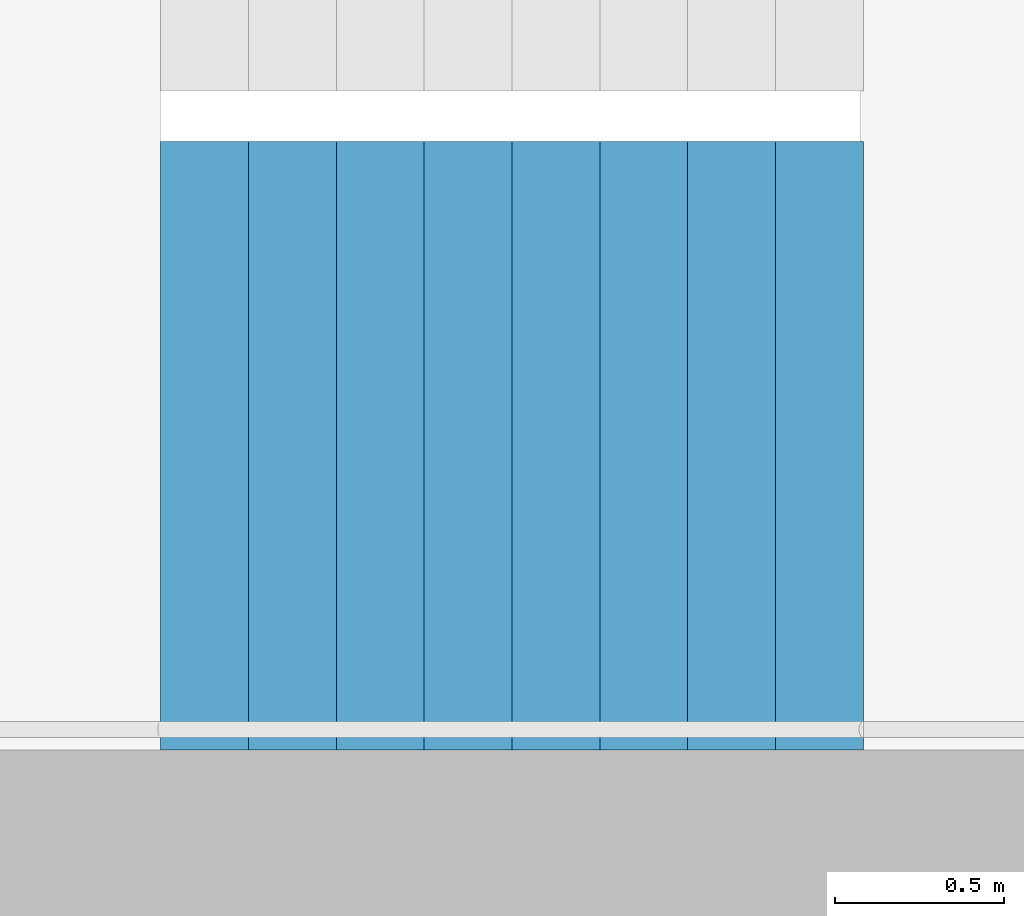
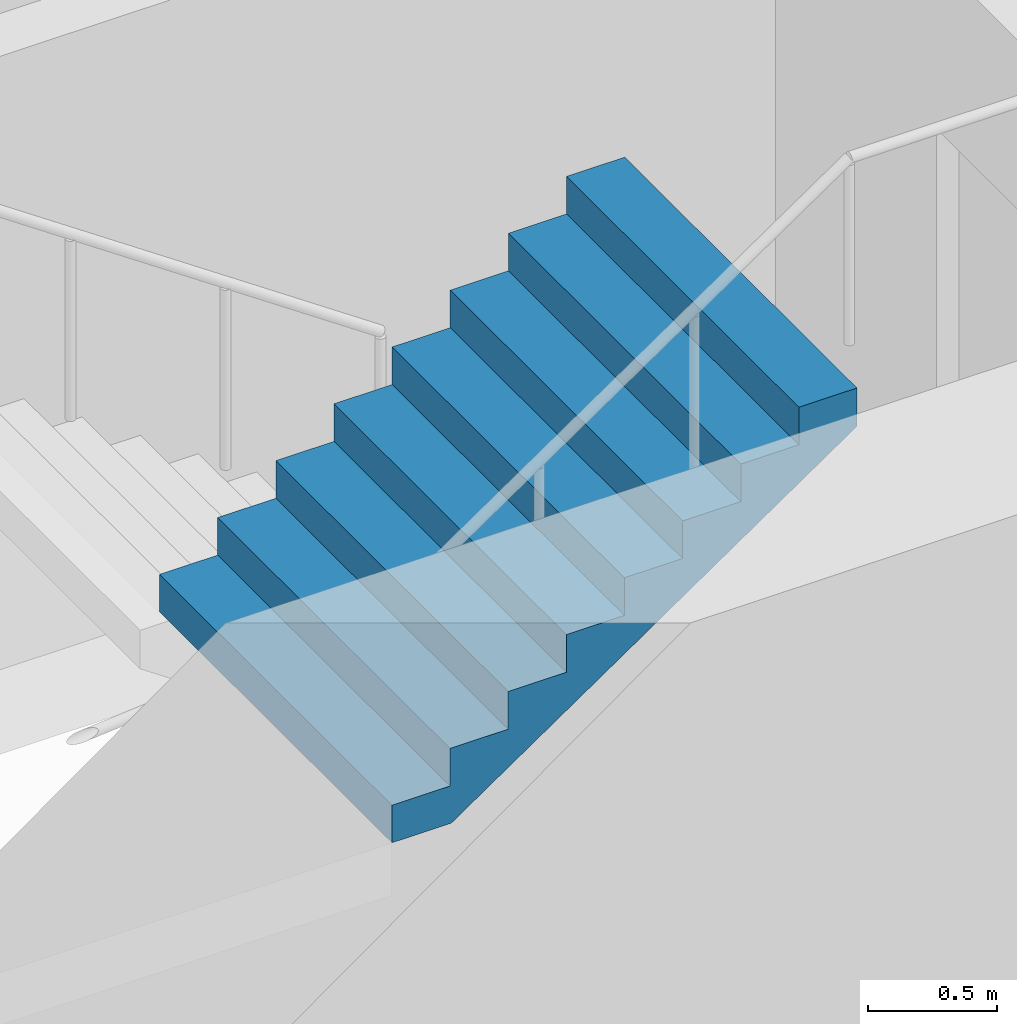
# One storey, part 21 of 29: 1 stair flight, 1 element without a shape of its own.
"""IFC4 building model written with IfcOpenShell, lengths in metres."""

from ifc_helpers import new_model, si_unit, direction, frame, origin, place, context, subcontext, project, spatial, triangles, material, type_object, element, aggregate, save


model = new_model("IFC4")

# Units and contexts
model_context = context("Model", 3, precision=1e-05, world=origin(), true_north=direction((0.0, 1.0)))
body_context = subcontext(model_context, "Body", "Model", "MODEL_VIEW")
ifc_project = project(units=[si_unit("LENGTHUNIT", "METRE"), si_unit("AREAUNIT", "SQUARE_METRE"), si_unit("VOLUMEUNIT", "CUBIC_METRE"), si_unit("PLANEANGLEUNIT", "RADIAN"), si_unit("MASSUNIT", "GRAM", prefix="KILO")], contexts=[model_context])

# Site, building, storey
site_placement = place(None, origin())
site = spatial("IfcSite", under=ifc_project, at=site_placement, CompositionType="ELEMENT")
building_placement = place(site_placement, origin())
building = spatial("IfcBuilding", under=site, at=building_placement, Name="Hakoniwa Tower and Hamabe Station Hall", CompositionType="ELEMENT")
storey_placement = place(building_placement, frame((0.0, 0.0, 117.0)))
storey = spatial("IfcBuildingStorey", under=building, at=storey_placement, Name="L33", CompositionType="ELEMENT", Elevation=117.0)

# Stair, stair flight
ifc_material_1 = material(Name="Concrete C40", Category="concrete")
stair_type = type_object("IfcStairType", Name="ESCAPE STAIR 1800", PredefinedType="HALF_TURN_STAIR", material=ifc_material_1)
stair_placement = place(storey_placement, origin())
stair = element("IfcStair", 1, at=stair_placement, inside=storey, type_object=stair_type, Name="Escape stair ST-2 L33", PredefinedType="HALF_TURN_STAIR")
ifc_material_2 = material(Name="Concrete C40", Category="concrete")
stair_flight_type = type_object("IfcStairFlightType", Name="STAIR FLIGHT 1800", PredefinedType="STRAIGHT", material=ifc_material_2)
stair_flight_placement = place(storey_placement, frame((-25.47998046875, -6.60009765625, 1.60009765625), z_axis=(0.0, 0.0, 1.0), x_axis=(1.0, 0.0, 0.0)))
stair_flight = element("IfcStairFlight", 2, at=stair_flight_placement, type_object=stair_flight_type, Name="ST-2 flight 2", NumberOfRisers=9, NumberOfTreads=8, PredefinedType="STRAIGHT", RiserHeight=0.177777778, TreadLength=0.26, context=body_context, shape_type="Tessellation", body=[
    triangles([(0.0, 0.89990234375, 0.0), (0.260009765625, 0.89990234375, 0.0), (0.265625, 0.89990234375, 0.0), (0.52001953125, 0.89990234375, 0.174072265625), (0.780029296875, 0.89990234375, 0.351806640625), (1.0400390625, 0.89990234375, 0.529541015625), (1.300048828125, 0.89990234375, 0.707275390625), (1.56005859375, 0.89990234375, 0.885009765625), (1.820068359375, 0.89990234375, 1.062744140625), (2.080078125, 0.89990234375, 1.24072265625), (2.080078125, 0.89990234375, 1.422119140625), (1.820068359375, 0.89990234375, 1.422119140625), (1.820068359375, 0.89990234375, 1.244384765625), (1.56005859375, 0.89990234375, 1.244384765625), (1.56005859375, 0.89990234375, 1.066650390625), (1.300048828125, 0.89990234375, 1.066650390625), (1.300048828125, 0.89990234375, 0.888916015625), (1.0400390625, 0.89990234375, 0.888916015625), (1.0400390625, 0.89990234375, 0.711181640625), (0.780029296875, 0.89990234375, 0.711181640625), (0.780029296875, 0.89990234375, 0.533447265625), (0.52001953125, 0.89990234375, 0.533447265625), (0.52001953125, 0.89990234375, 0.35546875), (0.265625, 0.89990234375, 0.35546875), (0.260009765625, 0.89990234375, 0.35546875), (0.260009765625, 0.89990234375, 0.177734375), (0.0, 0.89990234375, 0.177734375), (0.0, 0.06005859375, 0.0), (0.260009765625, 0.06005859375, 0.0), (0.265625, 0.06005859375, 0.0), (0.52001953125, 0.06005859375, 0.174072265625), (0.780029296875, 0.06005859375, 0.351806640625), (1.0400390625, 0.06005859375, 0.529541015625), (1.300048828125, 0.06005859375, 0.707275390625), (1.56005859375, 0.06005859375, 0.885009765625), (1.820068359375, 0.06005859375, 1.062744140625), (2.080078125, 0.06005859375, 1.24072265625), (2.080078125, 0.06005859375, 1.422119140625), (1.820068359375, 0.06005859375, 1.422119140625), (1.820068359375, 0.06005859375, 1.244384765625), (1.56005859375, 0.06005859375, 1.244384765625), (1.56005859375, 0.06005859375, 1.066650390625), (1.300048828125, 0.06005859375, 1.066650390625), (1.300048828125, 0.06005859375, 0.888916015625), (1.0400390625, 0.06005859375, 0.888916015625), (1.0400390625, 0.06005859375, 0.711181640625), (0.780029296875, 0.06005859375, 0.711181640625), (0.780029296875, 0.06005859375, 0.533447265625), (0.52001953125, 0.06005859375, 0.533447265625), (0.52001953125, 0.06005859375, 0.35546875), (0.265625, 0.06005859375, 0.35546875), (0.260009765625, 0.06005859375, 0.35546875), (0.260009765625, 0.06005859375, 0.177734375), (0.0, 0.06005859375, 0.177734375), (0.0, 0.04296875, 0.0), (0.260009765625, 0.04296875, 0.0), (0.265625, 0.04296875, 0.0), (0.52001953125, 0.04296875, 0.174072265625), (0.780029296875, 0.04296875, 0.351806640625), (1.0400390625, 0.04296875, 0.529541015625), (1.300048828125, 0.04296875, 0.707275390625), (1.56005859375, 0.04296875, 0.885009765625), (1.820068359375, 0.04296875, 1.062744140625), (2.080078125, 0.04296875, 1.24072265625), (2.080078125, 0.04296875, 1.422119140625), (1.820068359375, 0.04296875, 1.422119140625), (1.820068359375, 0.04296875, 1.244384765625), (1.56005859375, 0.04296875, 1.244384765625), (1.56005859375, 0.04296875, 1.066650390625), (1.300048828125, 0.04296875, 1.066650390625), (1.300048828125, 0.04296875, 0.888916015625), (1.0400390625, 0.04296875, 0.888916015625), (1.0400390625, 0.04296875, 0.711181640625), (0.780029296875, 0.04296875, 0.711181640625), (0.780029296875, 0.04296875, 0.533447265625), (0.52001953125, 0.04296875, 0.533447265625), (0.52001953125, 0.04296875, 0.35546875), (0.265625, 0.04296875, 0.35546875), (0.260009765625, 0.04296875, 0.35546875), (0.260009765625, 0.04296875, 0.177734375), (0.0, 0.04296875, 0.177734375), (0.0, 0.025634765625, 0.0), (0.260009765625, 0.025634765625, 0.0), (0.265625, 0.025634765625, 0.0), (0.52001953125, 0.025634765625, 0.174072265625), (0.780029296875, 0.025634765625, 0.351806640625), (1.0400390625, 0.025634765625, 0.529541015625), (1.300048828125, 0.025634765625, 0.707275390625), (1.56005859375, 0.025634765625, 0.885009765625), (1.820068359375, 0.025634765625, 1.062744140625), (2.080078125, 0.025634765625, 1.24072265625), (2.080078125, 0.025634765625, 1.422119140625), (1.820068359375, 0.025634765625, 1.422119140625), (1.820068359375, 0.025634765625, 1.244384765625), (1.56005859375, 0.025634765625, 1.244384765625), (1.56005859375, 0.025634765625, 1.066650390625), (1.300048828125, 0.025634765625, 1.066650390625), (1.300048828125, 0.025634765625, 0.888916015625), (1.0400390625, 0.025634765625, 0.888916015625), (1.0400390625, 0.025634765625, 0.711181640625), (0.780029296875, 0.025634765625, 0.711181640625), (0.780029296875, 0.025634765625, 0.533447265625), (0.52001953125, 0.025634765625, 0.533447265625), (0.52001953125, 0.025634765625, 0.35546875), (0.265625, 0.025634765625, 0.35546875), (0.260009765625, 0.025634765625, 0.35546875), (0.260009765625, 0.025634765625, 0.177734375), (0.0, 0.025634765625, 0.177734375), (0.0, 0.008544921875, 0.0), (0.260009765625, 0.008544921875, 0.0), (0.265625, 0.008544921875, 0.0), (0.52001953125, 0.008544921875, 0.174072265625), (0.780029296875, 0.008544921875, 0.351806640625), (1.0400390625, 0.008544921875, 0.529541015625), (1.300048828125, 0.008544921875, 0.707275390625), (1.56005859375, 0.008544921875, 0.885009765625), (1.820068359375, 0.008544921875, 1.062744140625), (2.080078125, 0.008544921875, 1.24072265625), (2.080078125, 0.008544921875, 1.422119140625), (1.820068359375, 0.008544921875, 1.422119140625), (1.820068359375, 0.008544921875, 1.244384765625), (1.56005859375, 0.008544921875, 1.244384765625), (1.56005859375, 0.008544921875, 1.066650390625), (1.300048828125, 0.008544921875, 1.066650390625), (1.300048828125, 0.008544921875, 0.888916015625), (1.0400390625, 0.008544921875, 0.888916015625), (1.0400390625, 0.008544921875, 0.711181640625), (0.780029296875, 0.008544921875, 0.711181640625), (0.780029296875, 0.008544921875, 0.533447265625), (0.52001953125, 0.008544921875, 0.533447265625), (0.52001953125, 0.008544921875, 0.35546875), (0.265625, 0.008544921875, 0.35546875), (0.260009765625, 0.008544921875, 0.35546875), (0.260009765625, 0.008544921875, 0.177734375), (0.0, 0.008544921875, 0.177734375), (0.0, -0.008544921875, 0.0), (0.260009765625, -0.008544921875, 0.0), (0.265625, -0.008544921875, 0.0), (0.52001953125, -0.008544921875, 0.174072265625), (0.780029296875, -0.008544921875, 0.351806640625), (1.0400390625, -0.008544921875, 0.529541015625), (1.300048828125, -0.008544921875, 0.707275390625), (1.56005859375, -0.008544921875, 0.885009765625), (1.820068359375, -0.008544921875, 1.062744140625), (2.080078125, -0.008544921875, 1.24072265625), (2.080078125, -0.008544921875, 1.422119140625), (1.820068359375, -0.008544921875, 1.422119140625), (1.820068359375, -0.008544921875, 1.244384765625), (1.56005859375, -0.008544921875, 1.244384765625), (1.56005859375, -0.008544921875, 1.066650390625), (1.300048828125, -0.008544921875, 1.066650390625), (1.300048828125, -0.008544921875, 0.888916015625), (1.0400390625, -0.008544921875, 0.888916015625), (1.0400390625, -0.008544921875, 0.711181640625), (0.780029296875, -0.008544921875, 0.711181640625), (0.780029296875, -0.008544921875, 0.533447265625), (0.52001953125, -0.008544921875, 0.533447265625), (0.52001953125, -0.008544921875, 0.35546875), (0.265625, -0.008544921875, 0.35546875), (0.260009765625, -0.008544921875, 0.35546875), (0.260009765625, -0.008544921875, 0.177734375), (0.0, -0.008544921875, 0.177734375), (0.0, -0.025634765625, 0.0), (0.260009765625, -0.025634765625, 0.0), (0.265625, -0.025634765625, 0.0), (0.52001953125, -0.025634765625, 0.174072265625), (0.780029296875, -0.025634765625, 0.351806640625), (1.0400390625, -0.025634765625, 0.529541015625), (1.300048828125, -0.025634765625, 0.707275390625), (1.56005859375, -0.025634765625, 0.885009765625), (1.820068359375, -0.025634765625, 1.062744140625), (2.080078125, -0.025634765625, 1.24072265625), (2.080078125, -0.025634765625, 1.422119140625), (1.820068359375, -0.025634765625, 1.422119140625), (1.820068359375, -0.025634765625, 1.244384765625), (1.56005859375, -0.025634765625, 1.244384765625), (1.56005859375, -0.025634765625, 1.066650390625), (1.300048828125, -0.025634765625, 1.066650390625), (1.300048828125, -0.025634765625, 0.888916015625), (1.0400390625, -0.025634765625, 0.888916015625), (1.0400390625, -0.025634765625, 0.711181640625), (0.780029296875, -0.025634765625, 0.711181640625), (0.780029296875, -0.025634765625, 0.533447265625), (0.52001953125, -0.025634765625, 0.533447265625), (0.52001953125, -0.025634765625, 0.35546875), (0.265625, -0.025634765625, 0.35546875), (0.260009765625, -0.025634765625, 0.35546875), (0.260009765625, -0.025634765625, 0.177734375), (0.0, -0.025634765625, 0.177734375), (0.0, -0.04296875, 0.0), (0.260009765625, -0.04296875, 0.0), (0.265625, -0.04296875, 0.0), (0.52001953125, -0.04296875, 0.174072265625), (0.780029296875, -0.04296875, 0.351806640625), (1.0400390625, -0.04296875, 0.529541015625), (1.300048828125, -0.04296875, 0.707275390625), (1.56005859375, -0.04296875, 0.885009765625), (1.820068359375, -0.04296875, 1.062744140625), (2.080078125, -0.04296875, 1.24072265625), (2.080078125, -0.04296875, 1.422119140625), (1.820068359375, -0.04296875, 1.422119140625), (1.820068359375, -0.04296875, 1.244384765625), (1.56005859375, -0.04296875, 1.244384765625), (1.56005859375, -0.04296875, 1.066650390625), (1.300048828125, -0.04296875, 1.066650390625), (1.300048828125, -0.04296875, 0.888916015625), (1.0400390625, -0.04296875, 0.888916015625), (1.0400390625, -0.04296875, 0.711181640625), (0.780029296875, -0.04296875, 0.711181640625), (0.780029296875, -0.04296875, 0.533447265625), (0.52001953125, -0.04296875, 0.533447265625), (0.52001953125, -0.04296875, 0.35546875), (0.265625, -0.04296875, 0.35546875), (0.260009765625, -0.04296875, 0.35546875), (0.260009765625, -0.04296875, 0.177734375), (0.0, -0.04296875, 0.177734375), (0.0, -0.06005859375, 0.0), (0.260009765625, -0.06005859375, 0.0), (0.265625, -0.06005859375, 0.0), (0.52001953125, -0.06005859375, 0.174072265625), (0.780029296875, -0.06005859375, 0.351806640625), (1.0400390625, -0.06005859375, 0.529541015625), (1.300048828125, -0.06005859375, 0.707275390625), (1.56005859375, -0.06005859375, 0.885009765625), (1.820068359375, -0.06005859375, 1.062744140625), (2.080078125, -0.06005859375, 1.24072265625), (2.080078125, -0.06005859375, 1.422119140625), (1.820068359375, -0.06005859375, 1.422119140625), (1.820068359375, -0.06005859375, 1.244384765625), (1.56005859375, -0.06005859375, 1.244384765625), (1.56005859375, -0.06005859375, 1.066650390625), (1.300048828125, -0.06005859375, 1.066650390625), (1.300048828125, -0.06005859375, 0.888916015625), (1.0400390625, -0.06005859375, 0.888916015625), (1.0400390625, -0.06005859375, 0.711181640625), (0.780029296875, -0.06005859375, 0.711181640625), (0.780029296875, -0.06005859375, 0.533447265625), (0.52001953125, -0.06005859375, 0.533447265625), (0.52001953125, -0.06005859375, 0.35546875), (0.265625, -0.06005859375, 0.35546875), (0.260009765625, -0.06005859375, 0.35546875), (0.260009765625, -0.06005859375, 0.177734375), (0.0, -0.06005859375, 0.177734375), (0.0, -0.89990234375, 0.0), (0.260009765625, -0.89990234375, 0.0), (0.265625, -0.89990234375, 0.0), (0.52001953125, -0.89990234375, 0.174072265625), (0.780029296875, -0.89990234375, 0.351806640625), (1.0400390625, -0.89990234375, 0.529541015625), (1.300048828125, -0.89990234375, 0.707275390625), (1.56005859375, -0.89990234375, 0.885009765625), (1.820068359375, -0.89990234375, 1.062744140625), (2.080078125, -0.89990234375, 1.24072265625), (2.080078125, -0.89990234375, 1.422119140625), (1.820068359375, -0.89990234375, 1.422119140625), (1.820068359375, -0.89990234375, 1.244384765625), (1.56005859375, -0.89990234375, 1.244384765625), (1.56005859375, -0.89990234375, 1.066650390625), (1.300048828125, -0.89990234375, 1.066650390625), (1.300048828125, -0.89990234375, 0.888916015625), (1.0400390625, -0.89990234375, 0.888916015625), (1.0400390625, -0.89990234375, 0.711181640625), (0.780029296875, -0.89990234375, 0.711181640625), (0.780029296875, -0.89990234375, 0.533447265625), (0.52001953125, -0.89990234375, 0.533447265625), (0.52001953125, -0.89990234375, 0.35546875), (0.265625, -0.89990234375, 0.35546875), (0.260009765625, -0.89990234375, 0.35546875), (0.260009765625, -0.89990234375, 0.177734375), (0.0, -0.89990234375, 0.177734375)], [[2, 27, 26], [245, 269, 270], [2, 1, 27], [245, 270, 244], [3, 25, 24], [246, 267, 268], [3, 26, 25], [246, 268, 269], [3, 2, 26], [246, 269, 245], [4, 24, 23], [247, 266, 267], [4, 3, 24], [247, 267, 246], [5, 22, 21], [248, 264, 265], [5, 23, 22], [248, 265, 266], [5, 4, 23], [248, 266, 247], [6, 20, 19], [249, 262, 263], [6, 21, 20], [249, 263, 264], [6, 5, 21], [249, 264, 248], [7, 18, 17], [250, 260, 261], [7, 19, 18], [250, 261, 262], [7, 6, 19], [250, 262, 249], [8, 16, 15], [251, 258, 259], [8, 17, 16], [251, 259, 260], [8, 7, 17], [251, 260, 250], [9, 14, 13], [252, 256, 257], [9, 15, 14], [252, 257, 258], [9, 8, 15], [252, 258, 251], [10, 12, 11], [253, 254, 255], [10, 13, 12], [253, 255, 256], [10, 9, 13], [253, 256, 252], [1, 2, 29], [1, 29, 28], [28, 29, 56], [28, 56, 55], [55, 56, 83], [55, 83, 82], [82, 83, 110], [82, 110, 109], [109, 110, 137], [109, 137, 136], [136, 137, 164], [136, 164, 163], [163, 164, 191], [163, 191, 190], [190, 191, 218], [190, 218, 217], [217, 218, 245], [217, 245, 244], [2, 3, 30], [2, 30, 29], [29, 30, 57], [29, 57, 56], [56, 57, 84], [56, 84, 83], [83, 84, 111], [83, 111, 110], [110, 111, 138], [110, 138, 137], [137, 138, 165], [137, 165, 164], [164, 165, 192], [164, 192, 191], [191, 192, 219], [191, 219, 218], [218, 219, 246], [218, 246, 245], [3, 4, 31], [3, 31, 30], [30, 31, 58], [30, 58, 57], [57, 58, 85], [57, 85, 84], [84, 85, 112], [84, 112, 111], [111, 112, 139], [111, 139, 138], [138, 139, 166], [138, 166, 165], [165, 166, 193], [165, 193, 192], [192, 193, 220], [192, 220, 219], [219, 220, 247], [219, 247, 246], [4, 5, 32], [4, 32, 31], [31, 32, 59], [31, 59, 58], [58, 59, 86], [58, 86, 85], [85, 86, 113], [85, 113, 112], [112, 113, 140], [112, 140, 139], [139, 140, 167], [139, 167, 166], [166, 167, 194], [166, 194, 193], [193, 194, 221], [193, 221, 220], [220, 221, 248], [220, 248, 247], [5, 6, 33], [5, 33, 32], [32, 33, 60], [32, 60, 59], [59, 60, 87], [59, 87, 86], [86, 87, 114], [86, 114, 113], [113, 114, 141], [113, 141, 140], [140, 141, 168], [140, 168, 167], [167, 168, 195], [167, 195, 194], [194, 195, 222], [194, 222, 221], [221, 222, 249], [221, 249, 248], [6, 7, 34], [6, 34, 33], [33, 34, 61], [33, 61, 60], [60, 61, 88], [60, 88, 87], [87, 88, 115], [87, 115, 114], [114, 115, 142], [114, 142, 141], [141, 142, 169], [141, 169, 168], [168, 169, 196], [168, 196, 195], [195, 196, 223], [195, 223, 222], [222, 223, 250], [222, 250, 249], [7, 8, 35], [7, 35, 34], [34, 35, 62], [34, 62, 61], [61, 62, 89], [61, 89, 88], [88, 89, 116], [88, 116, 115], [115, 116, 143], [115, 143, 142], [142, 143, 170], [142, 170, 169], [169, 170, 197], [169, 197, 196], [196, 197, 224], [196, 224, 223], [223, 224, 251], [223, 251, 250], [8, 9, 36], [8, 36, 35], [35, 36, 63], [35, 63, 62], [62, 63, 90], [62, 90, 89], [89, 90, 117], [89, 117, 116], [116, 117, 144], [116, 144, 143], [143, 144, 171], [143, 171, 170], [170, 171, 198], [170, 198, 197], [197, 198, 225], [197, 225, 224], [224, 225, 252], [224, 252, 251], [9, 10, 37], [9, 37, 36], [36, 37, 64], [36, 64, 63], [63, 64, 91], [63, 91, 90], [90, 91, 118], [90, 118, 117], [117, 118, 145], [117, 145, 144], [144, 145, 172], [144, 172, 171], [171, 172, 199], [171, 199, 198], [198, 199, 226], [198, 226, 225], [225, 226, 253], [225, 253, 252], [10, 11, 38], [10, 38, 37], [37, 38, 65], [37, 65, 64], [64, 65, 92], [64, 92, 91], [91, 92, 119], [91, 119, 118], [118, 119, 146], [118, 146, 145], [145, 146, 173], [145, 173, 172], [172, 173, 200], [172, 200, 199], [199, 200, 227], [199, 227, 226], [226, 227, 254], [226, 254, 253], [11, 12, 39], [11, 39, 38], [38, 39, 66], [38, 66, 65], [65, 66, 93], [65, 93, 92], [92, 93, 120], [92, 120, 119], [119, 120, 147], [119, 147, 146], [146, 147, 174], [146, 174, 173], [173, 174, 201], [173, 201, 200], [200, 201, 228], [200, 228, 227], [227, 228, 255], [227, 255, 254], [12, 13, 40], [12, 40, 39], [39, 40, 67], [39, 67, 66], [66, 67, 94], [66, 94, 93], [93, 94, 121], [93, 121, 120], [120, 121, 148], [120, 148, 147], [147, 148, 175], [147, 175, 174], [174, 175, 202], [174, 202, 201], [201, 202, 229], [201, 229, 228], [228, 229, 256], [228, 256, 255], [13, 14, 41], [13, 41, 40], [40, 41, 68], [40, 68, 67], [67, 68, 95], [67, 95, 94], [94, 95, 122], [94, 122, 121], [121, 122, 149], [121, 149, 148], [148, 149, 176], [148, 176, 175], [175, 176, 203], [175, 203, 202], [202, 203, 230], [202, 230, 229], [229, 230, 257], [229, 257, 256], [14, 15, 42], [14, 42, 41], [41, 42, 69], [41, 69, 68], [68, 69, 96], [68, 96, 95], [95, 96, 123], [95, 123, 122], [122, 123, 150], [122, 150, 149], [149, 150, 177], [149, 177, 176], [176, 177, 204], [176, 204, 203], [203, 204, 231], [203, 231, 230], [230, 231, 258], [230, 258, 257], [15, 16, 43], [15, 43, 42], [42, 43, 70], [42, 70, 69], [69, 70, 97], [69, 97, 96], [96, 97, 124], [96, 124, 123], [123, 124, 151], [123, 151, 150], [150, 151, 178], [150, 178, 177], [177, 178, 205], [177, 205, 204], [204, 205, 232], [204, 232, 231], [231, 232, 259], [231, 259, 258], [16, 17, 44], [16, 44, 43], [43, 44, 71], [43, 71, 70], [70, 71, 98], [70, 98, 97], [97, 98, 125], [97, 125, 124], [124, 125, 152], [124, 152, 151], [151, 152, 179], [151, 179, 178], [178, 179, 206], [178, 206, 205], [205, 206, 233], [205, 233, 232], [232, 233, 260], [232, 260, 259], [17, 18, 45], [17, 45, 44], [44, 45, 72], [44, 72, 71], [71, 72, 99], [71, 99, 98], [98, 99, 126], [98, 126, 125], [125, 126, 153], [125, 153, 152], [152, 153, 180], [152, 180, 179], [179, 180, 207], [179, 207, 206], [206, 207, 234], [206, 234, 233], [233, 234, 261], [233, 261, 260], [18, 19, 46], [18, 46, 45], [45, 46, 73], [45, 73, 72], [72, 73, 100], [72, 100, 99], [99, 100, 127], [99, 127, 126], [126, 127, 154], [126, 154, 153], [153, 154, 181], [153, 181, 180], [180, 181, 208], [180, 208, 207], [207, 208, 235], [207, 235, 234], [234, 235, 262], [234, 262, 261], [19, 20, 47], [19, 47, 46], [46, 47, 74], [46, 74, 73], [73, 74, 101], [73, 101, 100], [100, 101, 128], [100, 128, 127], [127, 128, 155], [127, 155, 154], [154, 155, 182], [154, 182, 181], [181, 182, 209], [181, 209, 208], [208, 209, 236], [208, 236, 235], [235, 236, 263], [235, 263, 262], [20, 21, 48], [20, 48, 47], [47, 48, 75], [47, 75, 74], [74, 75, 102], [74, 102, 101], [101, 102, 129], [101, 129, 128], [128, 129, 156], [128, 156, 155], [155, 156, 183], [155, 183, 182], [182, 183, 210], [182, 210, 209], [209, 210, 237], [209, 237, 236], [236, 237, 264], [236, 264, 263], [21, 22, 49], [21, 49, 48], [48, 49, 76], [48, 76, 75], [75, 76, 103], [75, 103, 102], [102, 103, 130], [102, 130, 129], [129, 130, 157], [129, 157, 156], [156, 157, 184], [156, 184, 183], [183, 184, 211], [183, 211, 210], [210, 211, 238], [210, 238, 237], [237, 238, 265], [237, 265, 264], [22, 23, 50], [22, 50, 49], [49, 50, 77], [49, 77, 76], [76, 77, 104], [76, 104, 103], [103, 104, 131], [103, 131, 130], [130, 131, 158], [130, 158, 157], [157, 158, 185], [157, 185, 184], [184, 185, 212], [184, 212, 211], [211, 212, 239], [211, 239, 238], [238, 239, 266], [238, 266, 265], [23, 24, 51], [23, 51, 50], [50, 51, 78], [50, 78, 77], [77, 78, 105], [77, 105, 104], [104, 105, 132], [104, 132, 131], [131, 132, 159], [131, 159, 158], [158, 159, 186], [158, 186, 185], [185, 186, 213], [185, 213, 212], [212, 213, 240], [212, 240, 239], [239, 240, 267], [239, 267, 266], [24, 25, 52], [24, 52, 51], [51, 52, 79], [51, 79, 78], [78, 79, 106], [78, 106, 105], [105, 106, 133], [105, 133, 132], [132, 133, 160], [132, 160, 159], [159, 160, 187], [159, 187, 186], [186, 187, 214], [186, 214, 213], [213, 214, 241], [213, 241, 240], [240, 241, 268], [240, 268, 267], [25, 26, 53], [25, 53, 52], [52, 53, 80], [52, 80, 79], [79, 80, 107], [79, 107, 106], [106, 107, 134], [106, 134, 133], [133, 134, 161], [133, 161, 160], [160, 161, 188], [160, 188, 187], [187, 188, 215], [187, 215, 214], [214, 215, 242], [214, 242, 241], [241, 242, 269], [241, 269, 268], [26, 27, 54], [26, 54, 53], [53, 54, 81], [53, 81, 80], [80, 81, 108], [80, 108, 107], [107, 108, 135], [107, 135, 134], [134, 135, 162], [134, 162, 161], [161, 162, 189], [161, 189, 188], [188, 189, 216], [188, 216, 215], [215, 216, 243], [215, 243, 242], [242, 243, 270], [242, 270, 269], [27, 1, 28], [27, 28, 54], [54, 28, 55], [54, 55, 81], [81, 55, 82], [81, 82, 108], [108, 82, 109], [108, 109, 135], [135, 109, 136], [135, 136, 162], [162, 136, 163], [162, 163, 189], [189, 163, 190], [189, 190, 216], [216, 190, 217], [216, 217, 243], [243, 217, 244], [243, 244, 270]], closed=True),
])
aggregate(stair, [stair_flight])

save(model, "model.ifc")
